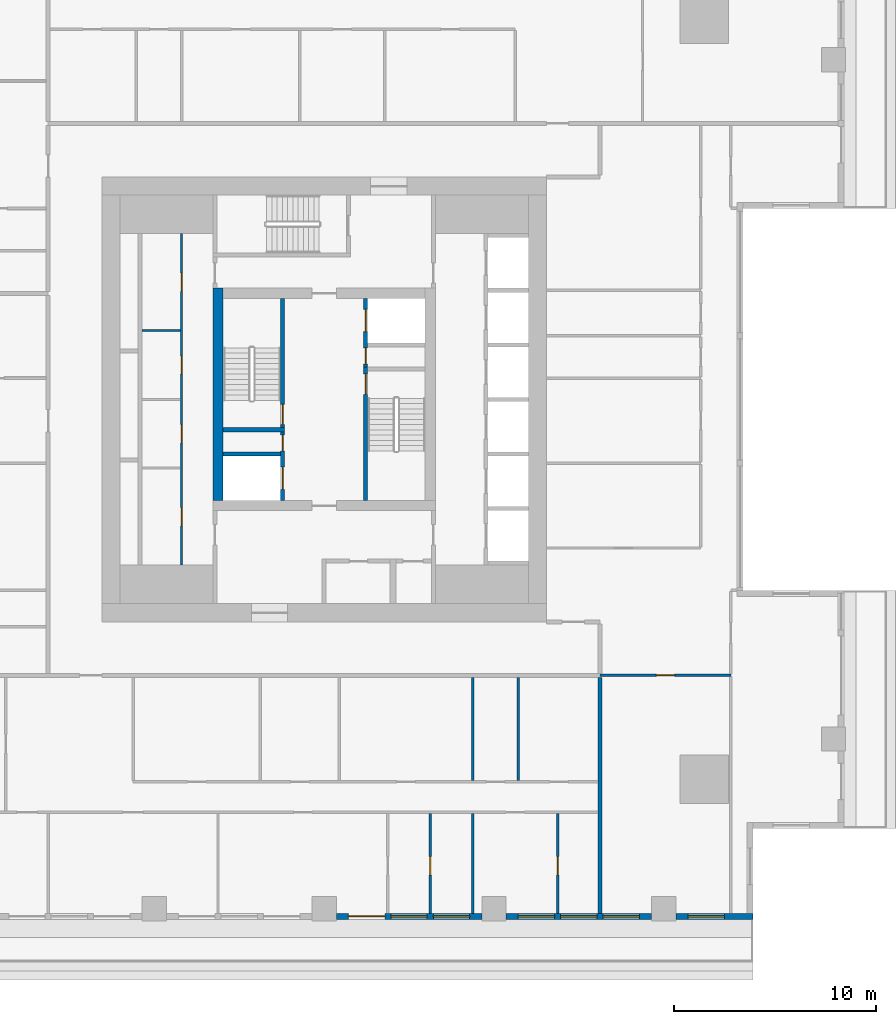
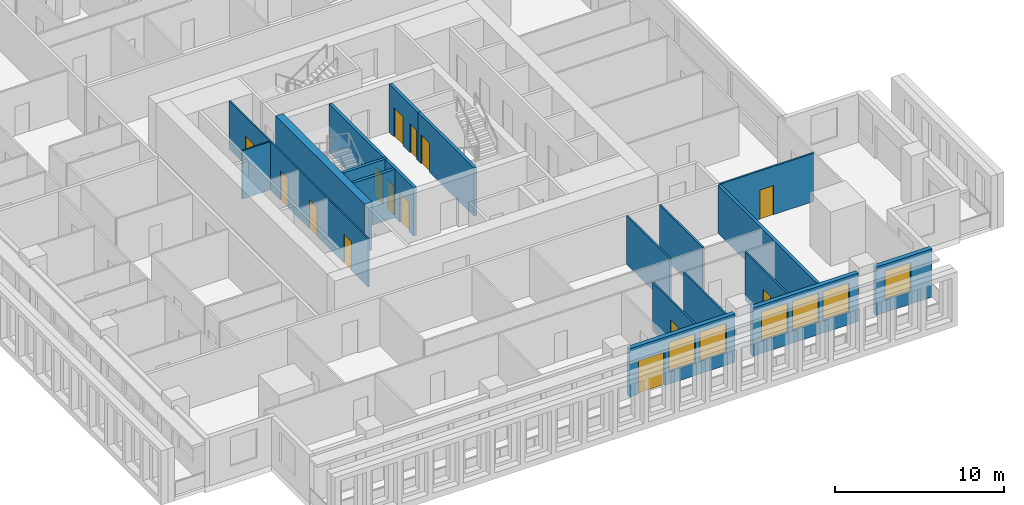
# One storey, part 4 of 15: 19 walls, 14 doors, 6 windows, 20 openings.
"""IFC4 building model written with IfcOpenShell, lengths in metres."""

from ifc_helpers import new_model, si_unit, direction, frame, frame_2d, origin, place, context, subcontext, project, spatial, rectangle, extrude, material, layer, layer_set, type_object, element, fill, save


model = new_model("IFC4")

# Units and contexts
model_context = context("Model", 3, precision=1e-05, world=origin(), true_north=direction((0.0, 1.0)))
body_context = subcontext(model_context, "Body", "Model", "MODEL_VIEW")
ifc_project = project(units=[si_unit("LENGTHUNIT", "METRE"), si_unit("AREAUNIT", "SQUARE_METRE"), si_unit("VOLUMEUNIT", "CUBIC_METRE"), si_unit("PLANEANGLEUNIT", "RADIAN"), si_unit("MASSUNIT", "GRAM", prefix="KILO")], contexts=[model_context])

# Site, building, storey
site_placement = place(None, origin())
site = spatial("IfcSite", under=ifc_project, at=site_placement, CompositionType="ELEMENT")
building_placement = place(site_placement, origin())
building = spatial("IfcBuilding", under=site, at=building_placement, Name="Khepri Terraces", CompositionType="ELEMENT")
storey_placement = place(building_placement, frame((0.0, 0.0, 215.699951171875)))
storey = spatial("IfcBuildingStorey", under=building, at=storey_placement, Name="L51", CompositionType="ELEMENT", Elevation=215.699951171875)

# Wall, opening, door
ifc_material_1 = material(Name="Concrete C50/60", Category="concrete")
ifc_layer_1 = layer(ifc_material_1, 0.199951171875, Name="Concrete C50/60", Category="concrete")
ifc_layer_set_1 = layer_set([ifc_layer_1], Name="Concrete C50/60")
wall_type_1 = type_object("IfcWallType", Name="Core wall 200 C50/60", PredefinedType="SHEAR", material=ifc_layer_set_1)
wall_1_placement = place(storey_placement, frame((2.050048828125, -5.0, 0.0), z_axis=(0.0, 0.0, 1.0), x_axis=(0.0, 1.0, 0.0)))
wall_1 = element("IfcWall", 1, at=wall_1_placement, inside=storey, type_object=wall_type_1, Name="Core wall ST01 L51", PredefinedType="SHEAR", context=body_context, shape_type="SweptSolid", body=[
    extrude(rectangle(XDim=6.60009765625, YDim=0.199951171875, at=frame_2d((3.300048828125, 0.0))), origin(), (0.0, 0.0, 1.0), 3.47998046875),
])
opening_1_placement = place(wall_1_placement, frame((5.25, 0.0, 0.0)))
opening_1 = element("IfcOpeningElement", 2, at=opening_1_placement, cuts=wall_1, Name="Opening L51-C10", PredefinedType="OPENING", context=body_context, shape_type="SweptSolid", body=[
    extrude(rectangle(XDim=1.0, YDim=2.10009765625, at=frame_2d((0.5, 1.050048828125))), frame((0.0, 0.10986328125, 0.0), z_axis=(0.0, -1.0, 0.0), x_axis=(1.0, 0.0, 0.0)), (0.0, 0.0, 1.0), 0.219970703125),
])
ifc_material_2 = material(Name="Painted steel", Category="steel")
door_type_1 = type_object("IfcDoorType", Name="DR-CORE-STAIR-1000", OperationType="NOTDEFINED", PredefinedType="DOOR", material=ifc_material_2)
door_1_placement = place(opening_1_placement, frame((1.0, 0.0, 0.0), z_axis=(0.0, 0.0, 1.0), x_axis=(-1.0, 0.0, 0.0)))
door_1 = element("IfcDoor", 3, at=door_1_placement, inside=storey, type_object=door_type_1, Name="Stair door L51-C10", OperationType="SINGLE_SWING_LEFT", OverallHeight=2.10009765625, OverallWidth=1.0, PredefinedType="DOOR", context=body_context, shape_type="SweptSolid", body=[
    extrude(rectangle(XDim=1.0, YDim=2.10009765625, at=frame_2d((0.5, 1.050048828125))), frame((0.0, 0.02490234375, 0.0), z_axis=(0.0, -1.0, 0.0), x_axis=(1.0, 0.0, 0.0)), (0.0, 0.0, 1.0), 0.050048828125),
])
fill(opening_1, door_1)

# Wall
wall_2_placement = place(storey_placement, frame((-5.0, -1.5, 0.0), z_axis=(0.0, 0.0, 1.0), x_axis=(1.0, 0.0, 0.0)))
element("IfcWall", 4, at=wall_2_placement, inside=storey, type_object=wall_type_1, Name="Core wall ST02 L51", PredefinedType="SHEAR", context=body_context, shape_type="SweptSolid", body=[
    extrude(rectangle(XDim=3.050048828125, YDim=0.199951171875, at=frame_2d((1.52490234375, 0.0))), origin(), (0.0, 0.0, 1.0), 3.47998046875),
])

# Wall, opening, door
wall_3_placement = place(storey_placement, frame((-2.050048828125, -1.39990234375, 0.0), z_axis=(0.0, 0.0, 1.0), x_axis=(0.0, 1.0, 0.0)))
wall_3 = element("IfcWall", 5, at=wall_3_placement, inside=storey, type_object=wall_type_1, Name="Core wall ST03 L51", PredefinedType="SHEAR", context=body_context, shape_type="SweptSolid", body=[
    extrude(rectangle(XDim=6.39990234375, YDim=0.199951171875, at=frame_2d((3.199951171875, 0.0))), origin(), (0.0, 0.0, 1.0), 3.47998046875),
])
opening_2_placement = place(wall_3_placement, frame((0.14990234375, 0.0, 0.0)))
opening_2 = element("IfcOpeningElement", 6, at=opening_2_placement, cuts=wall_3, Name="Opening L51-C09", PredefinedType="OPENING", context=body_context, shape_type="SweptSolid", body=[
    extrude(rectangle(XDim=1.0, YDim=2.10009765625, at=frame_2d((0.5, 1.050048828125))), frame((0.0, 0.10986328125, 0.0), z_axis=(0.0, -1.0, 0.0), x_axis=(1.0, 0.0, 0.0)), (0.0, 0.0, 1.0), 0.219970703125),
])
door_2_placement = place(opening_2_placement, origin())
door_2 = element("IfcDoor", 7, at=door_2_placement, inside=storey, type_object=door_type_1, Name="Stair door L51-C09", OperationType="SINGLE_SWING_LEFT", OverallHeight=2.10009765625, OverallWidth=1.0, PredefinedType="DOOR", context=body_context, shape_type="SweptSolid", body=[
    extrude(rectangle(XDim=1.0, YDim=2.10009765625, at=frame_2d((0.5, 1.050048828125))), frame((0.0, 0.02490234375, 0.0), z_axis=(0.0, -1.0, 0.0), x_axis=(1.0, 0.0, 0.0)), (0.0, 0.0, 1.0), 0.050048828125),
])
fill(opening_2, door_2)

# Wall, openings, doors
wall_4_placement = place(storey_placement, frame((-2.050048828125, -5.0, 0.0), z_axis=(0.0, 0.0, 1.0), x_axis=(0.0, 1.0, 0.0)))
wall_4 = element("IfcWall", 8, at=wall_4_placement, inside=storey, type_object=wall_type_1, Name="Core wall SH05 L51", PredefinedType="SHEAR", context=body_context, shape_type="SweptSolid", body=[
    extrude(rectangle(XDim=3.39990234375, YDim=0.199951171875, at=frame_2d((1.699951171875, 0.0))), origin(), (0.0, 0.0, 1.0), 3.47998046875),
])
opening_3_placement = place(wall_4_placement, frame((0.550048828125, 0.0, 0.0)))
opening_3 = element("IfcOpeningElement", 9, at=opening_3_placement, cuts=wall_4, Name="Opening L51-C08", PredefinedType="OPENING", context=body_context, shape_type="SweptSolid", body=[
    extrude(rectangle(XDim=1.10009765625, YDim=2.10009765625, at=frame_2d((0.550048828125, 1.050048828125))), frame((0.0, 0.10986328125, 0.0), z_axis=(0.0, -1.0, 0.0), x_axis=(1.0, 0.0, 0.0)), (0.0, 0.0, 1.0), 0.219970703125),
])
opening_4_placement = place(wall_4_placement, frame((2.449951171875, 0.0, 0.0)))
opening_4 = element("IfcOpeningElement", 10, at=opening_4_placement, cuts=wall_4, Name="Opening L51-C12", PredefinedType="OPENING", context=body_context, shape_type="SweptSolid", body=[
    extrude(rectangle(XDim=0.800048828125, YDim=2.10009765625, at=frame_2d((0.39990234375, 1.050048828125))), frame((0.0, 0.10986328125, 0.0), z_axis=(0.0, -1.0, 0.0), x_axis=(1.0, 0.0, 0.0)), (0.0, 0.0, 1.0), 0.219970703125),
])
ifc_material_3 = material(Name="Stainless steel 304", Category="steel")
door_type_2 = type_object("IfcDoorType", Name="DR-CORE-FF-LANDING-1100", OperationType="NOTDEFINED", PredefinedType="DOOR", material=ifc_material_3)
door_3_placement = place(opening_3_placement, origin())
door_3 = element("IfcDoor", 11, at=door_3_placement, inside=storey, type_object=door_type_2, Name="Firefighting lift landing door L51-C08", OperationType="SLIDING_TO_LEFT", OverallHeight=2.10009765625, OverallWidth=1.10009765625, PredefinedType="DOOR", context=body_context, shape_type="SweptSolid", body=[
    extrude(rectangle(XDim=1.10009765625, YDim=2.10009765625, at=frame_2d((0.550048828125, 1.050048828125))), frame((0.0, 0.02490234375, 0.0), z_axis=(0.0, -1.0, 0.0), x_axis=(1.0, 0.0, 0.0)), (0.0, 0.0, 1.0), 0.050048828125),
])
fill(opening_3, door_3)
door_type_3 = type_object("IfcDoorType", Name="DR-CORE-RISER-800", OperationType="NOTDEFINED", PredefinedType="DOOR", material=ifc_material_2)
door_4_placement = place(opening_4_placement, origin())
door_4 = element("IfcDoor", 12, at=door_4_placement, inside=storey, type_object=door_type_3, Name="Riser door L51-C12", OperationType="SINGLE_SWING_RIGHT", OverallHeight=2.10009765625, OverallWidth=0.800048828125, PredefinedType="DOOR", context=body_context, shape_type="SweptSolid", body=[
    extrude(rectangle(XDim=0.800048828125, YDim=2.10009765625, at=frame_2d((0.39990234375, 1.050048828125))), frame((0.0, 0.02490234375, 0.0), z_axis=(0.0, -1.0, 0.0), x_axis=(1.0, 0.0, 0.0)), (0.0, 0.0, 1.0), 0.050048828125),
])
fill(opening_4, door_4)

# Wall
wall_5_placement = place(storey_placement, frame((-5.0, -2.699951171875, 0.0), z_axis=(0.0, 0.0, 1.0), x_axis=(1.0, 0.0, 0.0)))
element("IfcWall", 13, at=wall_5_placement, inside=storey, type_object=wall_type_1, Name="Core wall SH07 L51", PredefinedType="SHEAR", context=body_context, shape_type="SweptSolid", body=[
    extrude(rectangle(XDim=2.85009765625, YDim=0.199951171875, at=frame_2d((1.425048828125, 0.0))), origin(), (0.0, 0.0, 1.0), 3.47998046875),
])

# Wall, openings, doors
wall_6_placement = place(storey_placement, frame((2.050048828125, 1.60009765625, 0.0), z_axis=(0.0, 0.0, 1.0), x_axis=(0.0, 1.0, 0.0)))
wall_6 = element("IfcWall", 14, at=wall_6_placement, inside=storey, type_object=wall_type_1, Name="Core wall SH10 L51", PredefinedType="SHEAR", context=body_context, shape_type="SweptSolid", body=[
    extrude(rectangle(XDim=3.39990234375, YDim=0.199951171875, at=frame_2d((1.699951171875, 0.0))), origin(), (0.0, 0.0, 1.0), 3.47998046875),
])
opening_5_placement = place(wall_6_placement, frame((1.75, 0.0, 0.0)))
opening_5 = element("IfcOpeningElement", 15, at=opening_5_placement, cuts=wall_6, Name="Opening L51-C07", PredefinedType="OPENING", context=body_context, shape_type="SweptSolid", body=[
    extrude(rectangle(XDim=1.10009765625, YDim=2.10009765625, at=frame_2d((0.550048828125, 1.050048828125))), frame((0.0, 0.10986328125, 0.0), z_axis=(0.0, -1.0, 0.0), x_axis=(1.0, 0.0, 0.0)), (0.0, 0.0, 1.0), 0.219970703125),
])
opening_6_placement = place(wall_6_placement, frame((0.14990234375, 0.0, 0.0)))
opening_6 = element("IfcOpeningElement", 16, at=opening_6_placement, cuts=wall_6, Name="Opening L51-C11", PredefinedType="OPENING", context=body_context, shape_type="SweptSolid", body=[
    extrude(rectangle(XDim=0.800048828125, YDim=2.10009765625, at=frame_2d((0.39990234375, 1.050048828125))), frame((0.0, 0.10986328125, 0.0), z_axis=(0.0, -1.0, 0.0), x_axis=(1.0, 0.0, 0.0)), (0.0, 0.0, 1.0), 0.219970703125),
])
door_5_placement = place(opening_5_placement, origin())
door_5 = element("IfcDoor", 17, at=door_5_placement, inside=storey, type_object=door_type_2, Name="Firefighting lift landing door L51-C07", OperationType="SLIDING_TO_LEFT", OverallHeight=2.10009765625, OverallWidth=1.10009765625, PredefinedType="DOOR", context=body_context, shape_type="SweptSolid", body=[
    extrude(rectangle(XDim=1.10009765625, YDim=2.10009765625, at=frame_2d((0.550048828125, 1.050048828125))), frame((0.0, 0.02490234375, 0.0), z_axis=(0.0, -1.0, 0.0), x_axis=(1.0, 0.0, 0.0)), (0.0, 0.0, 1.0), 0.050048828125),
])
fill(opening_5, door_5)
door_6_placement = place(opening_6_placement, frame((0.800048828125, 0.0, 0.0), z_axis=(0.0, 0.0, 1.0), x_axis=(-1.0, 0.0, 0.0)))
door_6 = element("IfcDoor", 18, at=door_6_placement, inside=storey, type_object=door_type_3, Name="Riser door L51-C11", OperationType="SINGLE_SWING_RIGHT", OverallHeight=2.10009765625, OverallWidth=0.800048828125, PredefinedType="DOOR", context=body_context, shape_type="SweptSolid", body=[
    extrude(rectangle(XDim=0.800048828125, YDim=2.10009765625, at=frame_2d((0.39990234375, 1.050048828125))), frame((0.0, 0.02490234375, 0.0), z_axis=(0.0, -1.0, 0.0), x_axis=(1.0, 0.0, 0.0)), (0.0, 0.0, 1.0), 0.050048828125),
])
fill(opening_6, door_6)

# Wall
ifc_layer_2 = layer(ifc_material_1, 0.5, Name="Concrete C50/60", Category="concrete")
ifc_layer_set_2 = layer_set([ifc_layer_2], Name="Concrete C50/60")
wall_type_2 = type_object("IfcWallType", Name="Core wall 500 C50/60", PredefinedType="SHEAR", material=ifc_layer_set_2)
wall_7_placement = place(storey_placement, frame((-5.25, -5.0, 0.0), z_axis=(0.0, 0.0, 1.0), x_axis=(0.0, 1.0, 0.0)))
element("IfcWall", 19, at=wall_7_placement, inside=storey, type_object=wall_type_2, Name="Core wall BX02 L51", PredefinedType="SHEAR", context=body_context, shape_type="SweptSolid", body=[
    extrude(rectangle(XDim=10.5, YDim=0.5, at=frame_2d((5.25, 0.0))), origin(), (0.0, 0.0, 1.0), 3.47998046875),
])

# Wall, openings, doors
ifc_material_4 = material(Name="Fire-rated gypsum board partition")
ifc_layer_3 = layer(ifc_material_4, 0.10009765625, Name="Fire-rated gypsum board partition")
ifc_layer_set_3 = layer_set([ifc_layer_3], Name="Fire-rated gypsum board partition")
wall_type_3 = type_object("IfcWallType", Name="WL-CORE-PART-100", PredefinedType="PARTITIONING", material=ifc_layer_set_3)
wall_8_placement = place(storey_placement, frame((-7.050048828125, -8.199951171875, 0.0), z_axis=(0.0, 0.0, 1.0), x_axis=(0.0, 1.0, 0.0)))
wall_8 = element("IfcWall", 20, at=wall_8_placement, inside=storey, type_object=wall_type_3, Name="Core partition PT05 L51", PredefinedType="PARTITIONING", context=body_context, shape_type="SweptSolid", body=[
    extrude(rectangle(XDim=16.39990234375, YDim=0.10009765625, at=frame_2d((8.199951171875, 0.0))), origin(), (0.0, 0.0, 1.0), 3.47998046875),
])
opening_7_placement = place(wall_8_placement, frame((1.949951171875, 0.0, 0.0)))
opening_7 = element("IfcOpeningElement", 21, at=opening_7_placement, cuts=wall_8, Name="Opening L51-C24", PredefinedType="OPENING", context=body_context, shape_type="SweptSolid", body=[
    extrude(rectangle(XDim=0.89990234375, YDim=2.10009765625, at=frame_2d((0.449951171875, 1.050048828125))), frame((0.0, 0.06005859375, 0.0), z_axis=(0.0, -1.0, 0.0), x_axis=(1.0, 0.0, 0.0)), (0.0, 0.0, 1.0), 0.1201171875),
])
opening_8_placement = place(wall_8_placement, frame((6.050048828125, 0.0, 0.0)))
opening_8 = element("IfcOpeningElement", 22, at=opening_8_placement, cuts=wall_8, Name="Opening L51-C25", PredefinedType="OPENING", context=body_context, shape_type="SweptSolid", body=[
    extrude(rectangle(XDim=0.89990234375, YDim=2.10009765625, at=frame_2d((0.449951171875, 1.050048828125))), frame((0.0, 0.06005859375, 0.0), z_axis=(0.0, -1.0, 0.0), x_axis=(1.0, 0.0, 0.0)), (0.0, 0.0, 1.0), 0.1201171875),
])
opening_9_placement = place(wall_8_placement, frame((9.449951171875, 0.0, 0.0)))
opening_9 = element("IfcOpeningElement", 23, at=opening_9_placement, cuts=wall_8, Name="Opening L51-C26", PredefinedType="OPENING", context=body_context, shape_type="SweptSolid", body=[
    extrude(rectangle(XDim=0.89990234375, YDim=2.10009765625, at=frame_2d((0.449951171875, 1.050048828125))), frame((0.0, 0.06005859375, 0.0), z_axis=(0.0, -1.0, 0.0), x_axis=(1.0, 0.0, 0.0)), (0.0, 0.0, 1.0), 0.1201171875),
])
opening_10_placement = place(wall_8_placement, frame((13.550048828125, 0.0, 0.0)))
opening_10 = element("IfcOpeningElement", 24, at=opening_10_placement, cuts=wall_8, Name="Opening L51-C27", PredefinedType="OPENING", context=body_context, shape_type="SweptSolid", body=[
    extrude(rectangle(XDim=0.89990234375, YDim=2.10009765625, at=frame_2d((0.449951171875, 1.050048828125))), frame((0.0, 0.06005859375, 0.0), z_axis=(0.0, -1.0, 0.0), x_axis=(1.0, 0.0, 0.0)), (0.0, 0.0, 1.0), 0.1201171875),
])
door_type_4 = type_object("IfcDoorType", Name="DR-CORE-SERVICE-900", OperationType="NOTDEFINED", PredefinedType="DOOR", material=ifc_material_2)
door_7_placement = place(opening_7_placement, origin())
door_7 = element("IfcDoor", 25, at=door_7_placement, inside=storey, type_object=door_type_4, Name="Service room door L51-C24", OperationType="SINGLE_SWING_LEFT", OverallHeight=2.10009765625, OverallWidth=0.89990234375, PredefinedType="DOOR", context=body_context, shape_type="SweptSolid", body=[
    extrude(rectangle(XDim=0.89990234375, YDim=2.10009765625, at=frame_2d((0.449951171875, 1.050048828125))), frame((0.0, 0.02490234375, 0.0), z_axis=(0.0, -1.0, 0.0), x_axis=(1.0, 0.0, 0.0)), (0.0, 0.0, 1.0), 0.050048828125),
])
fill(opening_7, door_7)
door_8_placement = place(opening_8_placement, origin())
door_8 = element("IfcDoor", 26, at=door_8_placement, inside=storey, type_object=door_type_4, Name="Service room door L51-C25", OperationType="SINGLE_SWING_LEFT", OverallHeight=2.10009765625, OverallWidth=0.89990234375, PredefinedType="DOOR", context=body_context, shape_type="SweptSolid", body=[
    extrude(rectangle(XDim=0.89990234375, YDim=2.10009765625, at=frame_2d((0.449951171875, 1.050048828125))), frame((0.0, 0.02490234375, 0.0), z_axis=(0.0, -1.0, 0.0), x_axis=(1.0, 0.0, 0.0)), (0.0, 0.0, 1.0), 0.050048828125),
])
fill(opening_8, door_8)
door_9_placement = place(opening_9_placement, origin())
door_9 = element("IfcDoor", 27, at=door_9_placement, inside=storey, type_object=door_type_4, Name="Service room door L51-C26", OperationType="SINGLE_SWING_RIGHT", OverallHeight=2.10009765625, OverallWidth=0.89990234375, PredefinedType="DOOR", context=body_context, shape_type="SweptSolid", body=[
    extrude(rectangle(XDim=0.89990234375, YDim=2.10009765625, at=frame_2d((0.449951171875, 1.050048828125))), frame((0.0, 0.02490234375, 0.0), z_axis=(0.0, -1.0, 0.0), x_axis=(1.0, 0.0, 0.0)), (0.0, 0.0, 1.0), 0.050048828125),
])
fill(opening_9, door_9)
door_10_placement = place(opening_10_placement, origin())
door_10 = element("IfcDoor", 28, at=door_10_placement, inside=storey, type_object=door_type_4, Name="Service room door L51-C27", OperationType="SINGLE_SWING_RIGHT", OverallHeight=2.10009765625, OverallWidth=0.89990234375, PredefinedType="DOOR", context=body_context, shape_type="SweptSolid", body=[
    extrude(rectangle(XDim=0.89990234375, YDim=2.10009765625, at=frame_2d((0.449951171875, 1.050048828125))), frame((0.0, 0.02490234375, 0.0), z_axis=(0.0, -1.0, 0.0), x_axis=(1.0, 0.0, 0.0)), (0.0, 0.0, 1.0), 0.050048828125),
])
fill(opening_10, door_10)

# Walls
wall_9_placement = place(storey_placement, frame((-9.0, 3.39990234375, 0.0), z_axis=(0.0, 0.0, 1.0), x_axis=(1.0, 0.0, 0.0)))
element("IfcWall", 29, at=wall_9_placement, inside=storey, type_object=wall_type_3, Name="Core partition PT10 L51", PredefinedType="PARTITIONING", context=body_context, shape_type="SweptSolid", body=[
    extrude(rectangle(XDim=1.89990234375, YDim=0.10009765625, at=frame_2d((0.949951171875, 0.0))), origin(), (0.0, 0.0, 1.0), 3.47998046875),
])
ifc_material_5 = material(Name="Fire-rated gypsum plasterboard partition, mineral wool")
ifc_layer_4 = layer(ifc_material_5, 0.199951171875, Name="Fire-rated gypsum plasterboard partition, mineral wool")
ifc_layer_set_4 = layer_set([ifc_layer_4], Name="Fire-rated gypsum plasterboard partition, mineral wool")
wall_type_4 = type_object("IfcWallType", Name="WL-CORR-200", PredefinedType="PARTITIONING", material=ifc_layer_set_4)
wall_10_placement = place(storey_placement, frame((13.64990234375, -25.419921875, 0.0), z_axis=(0.0, 0.0, 1.0), x_axis=(0.0, 1.0, 0.0)))
element("IfcWall", 30, at=wall_10_placement, inside=storey, type_object=wall_type_4, Name="Partition P-007 L51", PredefinedType="PARTITIONING", context=body_context, shape_type="SweptSolid", body=[
    extrude(rectangle(XDim=11.669921875, YDim=0.199951171875, at=frame_2d((5.8349609375, 0.0))), origin(), (0.0, 0.0, 1.0), 3.47998046875),
])

# Wall, openings, door, windows
ifc_material_6 = material(Name="Precast concrete C50/60 warm stone", Category="masonry")
ifc_layer_5 = layer(ifc_material_6, 0.300048828125, Name="Precast concrete C50/60 warm stone", Category="masonry")
ifc_layer_set_5 = layer_set([ifc_layer_5], Name="Precast concrete C50/60 warm stone")
wall_type_5 = type_object("IfcWallType", Name="WL-EXT-PRECAST-300", PredefinedType="STANDARD", material=ifc_layer_set_5)
wall_11_placement = place(storey_placement, frame((0.60009765625, -25.570068359375, 0.0), z_axis=(0.0, 0.0, 1.0), x_axis=(1.0, 0.0, 0.0)))
wall_11 = element("IfcWall", 31, at=wall_11_placement, inside=storey, type_object=wall_type_5, Name="External wall L51 S", PredefinedType="STANDARD", context=body_context, shape_type="SweptSolid", body=[
    extrude(rectangle(XDim=7.199951171875, YDim=0.300048828125, at=frame_2d((3.60009765625, 0.0))), origin(), (0.0, 0.0, 1.0), 3.47998046875),
])
opening_11_placement = place(wall_11_placement, frame((0.60009765625, 0.0, 0.0)))
opening_11 = element("IfcOpeningElement", 32, at=opening_11_placement, cuts=wall_11, Name="Opening ED-L51-20", PredefinedType="OPENING", context=body_context, shape_type="SweptSolid", body=[
    extrude(rectangle(XDim=1.800048828125, YDim=2.39990234375, at=frame_2d((0.89990234375, 1.199951171875))), frame((0.0, 0.16015625, 0.0), z_axis=(0.0, -1.0, 0.0), x_axis=(1.0, 0.0, 0.0)), (0.0, 0.0, 1.0), 0.320068359375),
])
opening_12_placement = place(wall_11_placement, frame((2.699951171875, 0.0, 0.89990234375)))
opening_12 = element("IfcOpeningElement", 33, at=opening_12_placement, cuts=wall_11, Name="Opening W1", PredefinedType="OPENING", context=body_context, shape_type="SweptSolid", body=[
    extrude(rectangle(XDim=1.800048828125, YDim=2.10009765625, at=frame_2d((0.89990234375, 1.050048828125))), frame((0.0, 0.16015625, 0.0), z_axis=(0.0, -1.0, 0.0), x_axis=(1.0, 0.0, 0.0)), (0.0, 0.0, 1.0), 0.320068359375),
])
opening_13_placement = place(wall_11_placement, frame((4.800048828125, 0.0, 0.89990234375)))
opening_13 = element("IfcOpeningElement", 34, at=opening_13_placement, cuts=wall_11, Name="Opening W1", PredefinedType="OPENING", context=body_context, shape_type="SweptSolid", body=[
    extrude(rectangle(XDim=1.800048828125, YDim=2.10009765625, at=frame_2d((0.89990234375, 1.050048828125))), frame((0.0, 0.16015625, 0.0), z_axis=(0.0, -1.0, 0.0), x_axis=(1.0, 0.0, 0.0)), (0.0, 0.0, 1.0), 0.320068359375),
])
ifc_material_7 = material(Name="Anodised aluminium bronze glazed door", Category="aluminium")
door_type_5 = type_object("IfcDoorType", Name="DR-BAL-SLIDE-1800x2400", OperationType="NOTDEFINED", PredefinedType="DOOR", material=ifc_material_7)
door_11_placement = place(opening_11_placement, origin())
door_11 = element("IfcDoor", 35, at=door_11_placement, inside=storey, type_object=door_type_5, Name="Balcony door L51 S", OperationType="SLIDING_TO_LEFT", OverallHeight=2.39990234375, OverallWidth=1.800048828125, PredefinedType="DOOR", context=body_context, shape_type="SweptSolid", body=[
    extrude(rectangle(XDim=1.800048828125, YDim=2.39990234375, at=frame_2d((0.89990234375, 1.199951171875))), frame((0.0, 0.02490234375, 0.0), z_axis=(0.0, -1.0, 0.0), x_axis=(1.0, 0.0, 0.0)), (0.0, 0.0, 1.0), 0.050048828125),
])
fill(opening_11, door_11)
ifc_material_8 = material(Name="Clear glass", Category="glass")
window_type = type_object("IfcWindowType", Name="WIN-RES-1800x2100", PartitioningType="SINGLE_PANEL", PredefinedType="WINDOW", material=ifc_material_8)
window_1_placement = place(opening_12_placement, origin())
window_1 = element("IfcWindow", 36, at=window_1_placement, inside=storey, type_object=window_type, Name="Window L51 S", OverallHeight=2.10009765625, OverallWidth=1.800048828125, PartitioningType="SINGLE_PANEL", PredefinedType="WINDOW", context=body_context, shape_type="SweptSolid", body=[
    extrude(rectangle(XDim=1.800048828125, YDim=2.10009765625, at=frame_2d((0.89990234375, 1.050048828125))), frame((0.0, 0.030029296875, 0.0), z_axis=(0.0, -1.0, 0.0), x_axis=(1.0, 0.0, 0.0)), (0.0, 0.0, 1.0), 0.06005859375),
])
fill(opening_12, window_1)
window_2_placement = place(opening_13_placement, origin())
window_2 = element("IfcWindow", 37, at=window_2_placement, inside=storey, type_object=window_type, Name="Window L51 S", OverallHeight=2.10009765625, OverallWidth=1.800048828125, PartitioningType="SINGLE_PANEL", PredefinedType="WINDOW", context=body_context, shape_type="SweptSolid", body=[
    extrude(rectangle(XDim=1.800048828125, YDim=2.10009765625, at=frame_2d((0.89990234375, 1.050048828125))), frame((0.0, 0.030029296875, 0.0), z_axis=(0.0, -1.0, 0.0), x_axis=(1.0, 0.0, 0.0)), (0.0, 0.0, 1.0), 0.06005859375),
])
fill(opening_13, window_2)

# Wall, openings, windows
wall_12_placement = place(storey_placement, frame((9.0, -25.570068359375, 0.0), z_axis=(0.0, 0.0, 1.0), x_axis=(1.0, 0.0, 0.0)))
wall_12 = element("IfcWall", 38, at=wall_12_placement, inside=storey, type_object=wall_type_5, Name="External wall L51 S", PredefinedType="STANDARD", context=body_context, shape_type="SweptSolid", body=[
    extrude(rectangle(XDim=7.199951171875, YDim=0.300048828125, at=frame_2d((3.60009765625, 0.0))), origin(), (0.0, 0.0, 1.0), 3.47998046875),
])
opening_14_placement = place(wall_12_placement, frame((0.60009765625, 0.0, 0.89990234375)))
opening_14 = element("IfcOpeningElement", 39, at=opening_14_placement, cuts=wall_12, Name="Opening W1", PredefinedType="OPENING", context=body_context, shape_type="SweptSolid", body=[
    extrude(rectangle(XDim=1.800048828125, YDim=2.10009765625, at=frame_2d((0.89990234375, 1.050048828125))), frame((0.0, 0.16015625, 0.0), z_axis=(0.0, -1.0, 0.0), x_axis=(1.0, 0.0, 0.0)), (0.0, 0.0, 1.0), 0.320068359375),
])
opening_15_placement = place(wall_12_placement, frame((2.699951171875, 0.0, 0.89990234375)))
opening_15 = element("IfcOpeningElement", 40, at=opening_15_placement, cuts=wall_12, Name="Opening W1", PredefinedType="OPENING", context=body_context, shape_type="SweptSolid", body=[
    extrude(rectangle(XDim=1.800048828125, YDim=2.10009765625, at=frame_2d((0.89990234375, 1.050048828125))), frame((0.0, 0.16015625, 0.0), z_axis=(0.0, -1.0, 0.0), x_axis=(1.0, 0.0, 0.0)), (0.0, 0.0, 1.0), 0.320068359375),
])
opening_16_placement = place(wall_12_placement, frame((4.800048828125, 0.0, 0.89990234375)))
opening_16 = element("IfcOpeningElement", 41, at=opening_16_placement, cuts=wall_12, Name="Opening W1", PredefinedType="OPENING", context=body_context, shape_type="SweptSolid", body=[
    extrude(rectangle(XDim=1.800048828125, YDim=2.10009765625, at=frame_2d((0.89990234375, 1.050048828125))), frame((0.0, 0.16015625, 0.0), z_axis=(0.0, -1.0, 0.0), x_axis=(1.0, 0.0, 0.0)), (0.0, 0.0, 1.0), 0.320068359375),
])
window_3_placement = place(opening_14_placement, origin())
window_3 = element("IfcWindow", 42, at=window_3_placement, inside=storey, type_object=window_type, Name="Window L51 S", OverallHeight=2.10009765625, OverallWidth=1.800048828125, PartitioningType="SINGLE_PANEL", PredefinedType="WINDOW", context=body_context, shape_type="SweptSolid", body=[
    extrude(rectangle(XDim=1.800048828125, YDim=2.10009765625, at=frame_2d((0.89990234375, 1.050048828125))), frame((0.0, 0.030029296875, 0.0), z_axis=(0.0, -1.0, 0.0), x_axis=(1.0, 0.0, 0.0)), (0.0, 0.0, 1.0), 0.06005859375),
])
fill(opening_14, window_3)
window_4_placement = place(opening_15_placement, origin())
window_4 = element("IfcWindow", 43, at=window_4_placement, inside=storey, type_object=window_type, Name="Window L51 S", OverallHeight=2.10009765625, OverallWidth=1.800048828125, PartitioningType="SINGLE_PANEL", PredefinedType="WINDOW", context=body_context, shape_type="SweptSolid", body=[
    extrude(rectangle(XDim=1.800048828125, YDim=2.10009765625, at=frame_2d((0.89990234375, 1.050048828125))), frame((0.0, 0.030029296875, 0.0), z_axis=(0.0, -1.0, 0.0), x_axis=(1.0, 0.0, 0.0)), (0.0, 0.0, 1.0), 0.06005859375),
])
fill(opening_15, window_4)
window_5_placement = place(opening_16_placement, origin())
window_5 = element("IfcWindow", 44, at=window_5_placement, inside=storey, type_object=window_type, Name="Window L51 S", OverallHeight=2.10009765625, OverallWidth=1.800048828125, PartitioningType="SINGLE_PANEL", PredefinedType="WINDOW", context=body_context, shape_type="SweptSolid", body=[
    extrude(rectangle(XDim=1.800048828125, YDim=2.10009765625, at=frame_2d((0.89990234375, 1.050048828125))), frame((0.0, 0.030029296875, 0.0), z_axis=(0.0, -1.0, 0.0), x_axis=(1.0, 0.0, 0.0)), (0.0, 0.0, 1.0), 0.06005859375),
])
fill(opening_16, window_5)

# Wall, opening, window
wall_13_placement = place(storey_placement, frame((17.39990234375, -25.570068359375, 0.0), z_axis=(0.0, 0.0, 1.0), x_axis=(1.0, 0.0, 0.0)))
wall_13 = element("IfcWall", 45, at=wall_13_placement, inside=storey, type_object=wall_type_5, Name="External wall L51 S", PredefinedType="STANDARD", context=body_context, shape_type="SweptSolid", body=[
    extrude(rectangle(XDim=3.820068359375, YDim=0.300048828125, at=frame_2d((1.91015625, 0.0))), origin(), (0.0, 0.0, 1.0), 3.47998046875),
])
opening_17_placement = place(wall_13_placement, frame((0.60009765625, 0.0, 0.89990234375)))
opening_17 = element("IfcOpeningElement", 46, at=opening_17_placement, cuts=wall_13, Name="Opening W1", PredefinedType="OPENING", context=body_context, shape_type="SweptSolid", body=[
    extrude(rectangle(XDim=1.800048828125, YDim=2.10009765625, at=frame_2d((0.89990234375, 1.050048828125))), frame((0.0, 0.16015625, 0.0), z_axis=(0.0, -1.0, 0.0), x_axis=(1.0, 0.0, 0.0)), (0.0, 0.0, 1.0), 0.320068359375),
])
window_6_placement = place(opening_17_placement, origin())
window_6 = element("IfcWindow", 47, at=window_6_placement, inside=storey, type_object=window_type, Name="Window L51 S", OverallHeight=2.10009765625, OverallWidth=1.800048828125, PartitioningType="SINGLE_PANEL", PredefinedType="WINDOW", context=body_context, shape_type="SweptSolid", body=[
    extrude(rectangle(XDim=1.800048828125, YDim=2.10009765625, at=frame_2d((0.89990234375, 1.050048828125))), frame((0.0, 0.030029296875, 0.0), z_axis=(0.0, -1.0, 0.0), x_axis=(1.0, 0.0, 0.0)), (0.0, 0.0, 1.0), 0.06005859375),
])
fill(opening_17, window_6)

# Wall, opening, door
ifc_material_9 = material(Name="Gypsum plasterboard partition")
ifc_layer_6 = layer(ifc_material_9, 0.1201171875, Name="Gypsum plasterboard partition")
ifc_layer_set_6 = layer_set([ifc_layer_6], Name="Gypsum plasterboard partition")
wall_type_6 = type_object("IfcWallType", Name="WL-PART-120", PredefinedType="PARTITIONING", material=ifc_layer_set_6)
wall_14_placement = place(storey_placement, frame((5.25, -25.419921875, 0.0), z_axis=(0.0, 0.0, 1.0), x_axis=(0.0, 1.0, 0.0)))
wall_14 = element("IfcWall", 48, at=wall_14_placement, inside=storey, type_object=wall_type_6, Name="Partition P-004 L51", PredefinedType="PARTITIONING", context=body_context, shape_type="SweptSolid", body=[
    extrude(rectangle(XDim=4.93994140625, YDim=0.1201171875, at=frame_2d((2.469970703125, 0.0))), origin(), (0.0, 0.0, 1.0), 3.47998046875),
])
opening_18_placement = place(wall_14_placement, frame((1.89990234375, 0.0, 0.0)))
opening_18 = element("IfcOpeningElement", 49, at=opening_18_placement, cuts=wall_14, Name="Opening D4", PredefinedType="OPENING", context=body_context, shape_type="SweptSolid", body=[
    extrude(rectangle(XDim=0.89990234375, YDim=2.10009765625, at=frame_2d((0.449951171875, 1.050048828125))), frame((0.0, 0.070068359375, 0.0), z_axis=(0.0, -1.0, 0.0), x_axis=(1.0, 0.0, 0.0)), (0.0, 0.0, 1.0), 0.14013671875),
])
ifc_material_10 = material(Name="Timber door leaf, moisture resistant", Category="wood")
door_type_6 = type_object("IfcDoorType", Name="DR-WET-900", OperationType="NOTDEFINED", PredefinedType="DOOR", material=ifc_material_10)
door_12_placement = place(opening_18_placement, frame((0.89990234375, 0.0, 0.0), z_axis=(0.0, 0.0, 1.0), x_axis=(-1.0, 0.0, 0.0)))
door_12 = element("IfcDoor", 50, at=door_12_placement, inside=storey, type_object=door_type_6, Name="Door Bathroom", OperationType="SINGLE_SWING_RIGHT", OverallHeight=2.10009765625, OverallWidth=0.89990234375, PredefinedType="DOOR", context=body_context, shape_type="SweptSolid", body=[
    extrude(rectangle(XDim=0.89990234375, YDim=2.10009765625, at=frame_2d((0.449951171875, 1.050048828125))), frame((0.0, 0.02490234375, 0.0), z_axis=(0.0, -1.0, 0.0), x_axis=(1.0, 0.0, 0.0)), (0.0, 0.0, 1.0), 0.050048828125),
])
fill(opening_18, door_12)

# Wall
wall_15_placement = place(storey_placement, frame((7.35009765625, -25.419921875, 0.0), z_axis=(0.0, 0.0, 1.0), x_axis=(0.0, 1.0, 0.0)))
element("IfcWall", 51, at=wall_15_placement, inside=storey, type_object=wall_type_6, Name="Partition P-005 L51", PredefinedType="PARTITIONING", context=body_context, shape_type="SweptSolid", body=[
    extrude(rectangle(XDim=4.93994140625, YDim=0.1201171875, at=frame_2d((2.469970703125, 0.0))), origin(), (0.0, 0.0, 1.0), 3.47998046875),
])

# Wall, opening, door
wall_16_placement = place(storey_placement, frame((11.550048828125, -25.419921875, 0.0), z_axis=(0.0, 0.0, 1.0), x_axis=(0.0, 1.0, 0.0)))
wall_16 = element("IfcWall", 52, at=wall_16_placement, inside=storey, type_object=wall_type_6, Name="Partition P-006 L51", PredefinedType="PARTITIONING", context=body_context, shape_type="SweptSolid", body=[
    extrude(rectangle(XDim=4.93994140625, YDim=0.1201171875, at=frame_2d((2.469970703125, 0.0))), origin(), (0.0, 0.0, 1.0), 3.47998046875),
])
opening_19_placement = place(wall_16_placement, frame((1.89990234375, 0.0, 0.0)))
opening_19 = element("IfcOpeningElement", 53, at=opening_19_placement, cuts=wall_16, Name="Opening D4", PredefinedType="OPENING", context=body_context, shape_type="SweptSolid", body=[
    extrude(rectangle(XDim=0.89990234375, YDim=2.10009765625, at=frame_2d((0.449951171875, 1.050048828125))), frame((0.0, 0.070068359375, 0.0), z_axis=(0.0, -1.0, 0.0), x_axis=(1.0, 0.0, 0.0)), (0.0, 0.0, 1.0), 0.14013671875),
])
door_13_placement = place(opening_19_placement, frame((0.89990234375, 0.0, 0.0), z_axis=(0.0, 0.0, 1.0), x_axis=(-1.0, 0.0, 0.0)))
door_13 = element("IfcDoor", 54, at=door_13_placement, inside=storey, type_object=door_type_6, Name="Door Bathroom", OperationType="SINGLE_SWING_RIGHT", OverallHeight=2.10009765625, OverallWidth=0.89990234375, PredefinedType="DOOR", context=body_context, shape_type="SweptSolid", body=[
    extrude(rectangle(XDim=0.89990234375, YDim=2.10009765625, at=frame_2d((0.449951171875, 1.050048828125))), frame((0.0, 0.02490234375, 0.0), z_axis=(0.0, -1.0, 0.0), x_axis=(1.0, 0.0, 0.0)), (0.0, 0.0, 1.0), 0.050048828125),
])
fill(opening_19, door_13)

# Walls
for number, where, z_axis, x_axis, name in (
    (55, (7.35009765625, -18.860107421875, 0.0), (0.0, 0.0, 1.0), (0.0, 1.0, 0.0), "Partition P-016 L51"),
    (56, (9.60009765625, -18.860107421875, 0.0), (0.0, 0.0, 1.0), (0.0, 1.0, 0.0), "Partition P-017 L51"),
):
    element("IfcWall", number, at=place(storey_placement, frame(where, z_axis=z_axis, x_axis=x_axis)), inside=storey, type_object=wall_type_6, Name=name, PredefinedType="PARTITIONING", context=body_context, shape_type="SweptSolid", body=[
        extrude(rectangle(XDim=5.110107421875, YDim=0.1201171875, at=frame_2d((2.55517578125, 0.0))), origin(), (0.0, 0.0, 1.0), 3.47998046875),
    ])

# Wall, opening, door
wall_17_placement = place(storey_placement, frame((13.64990234375, -13.64990234375, 0.0), z_axis=(0.0, 0.0, 1.0), x_axis=(1.0, 0.0, 0.0)))
wall_17 = element("IfcWall", 57, at=wall_17_placement, inside=storey, type_object=wall_type_6, Name="Partition P-019 L51", PredefinedType="PARTITIONING", context=body_context, shape_type="SweptSolid", body=[
    extrude(rectangle(XDim=6.47021484375, YDim=0.1201171875, at=frame_2d((3.235107421875, 0.0))), origin(), (0.0, 0.0, 1.0), 3.47998046875),
])
opening_20_placement = place(wall_17_placement, frame((2.784912109375, 0.0, 0.0)))
opening_20 = element("IfcOpeningElement", 58, at=opening_20_placement, cuts=wall_17, Name="Opening D3", PredefinedType="OPENING", context=body_context, shape_type="SweptSolid", body=[
    extrude(rectangle(XDim=0.89990234375, YDim=2.10009765625, at=frame_2d((0.449951171875, 1.050048828125))), frame((0.0, 0.070068359375, 0.0), z_axis=(0.0, -1.0, 0.0), x_axis=(1.0, 0.0, 0.0)), (0.0, 0.0, 1.0), 0.14013671875),
])
ifc_material_11 = material(Name="Timber door leaf", Category="wood")
door_type_7 = type_object("IfcDoorType", Name="DR-INT-900", OperationType="NOTDEFINED", PredefinedType="DOOR", material=ifc_material_11)
door_14_placement = place(opening_20_placement, frame((0.89990234375, 0.0, 0.0), z_axis=(0.0, 0.0, 1.0), x_axis=(-1.0, 0.0, 0.0)))
door_14 = element("IfcDoor", 59, at=door_14_placement, inside=storey, type_object=door_type_7, Name="Door Home Cinema", OperationType="SINGLE_SWING_LEFT", OverallHeight=2.10009765625, OverallWidth=0.89990234375, PredefinedType="DOOR", context=body_context, shape_type="SweptSolid", body=[
    extrude(rectangle(XDim=0.89990234375, YDim=2.10009765625, at=frame_2d((0.449951171875, 1.050048828125))), frame((0.0, 0.02490234375, 0.0), z_axis=(0.0, -1.0, 0.0), x_axis=(1.0, 0.0, 0.0)), (0.0, 0.0, 1.0), 0.050048828125),
])
fill(opening_20, door_14)

save(model, "model.ifc")
